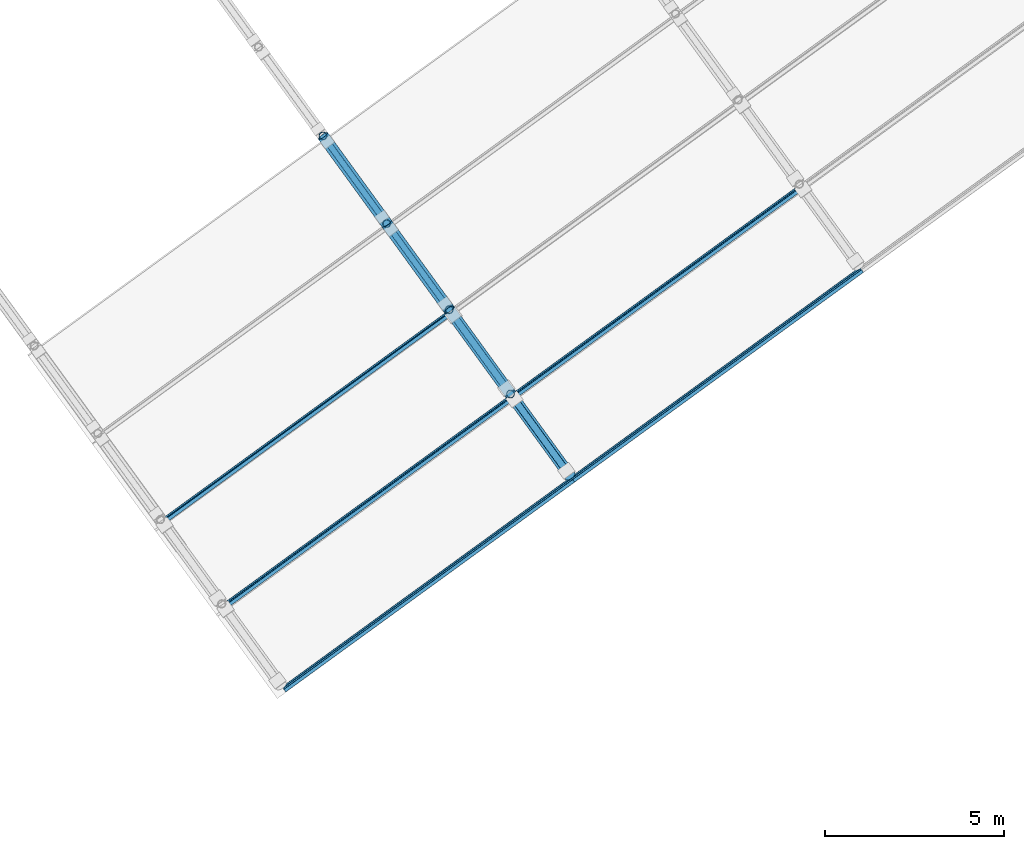
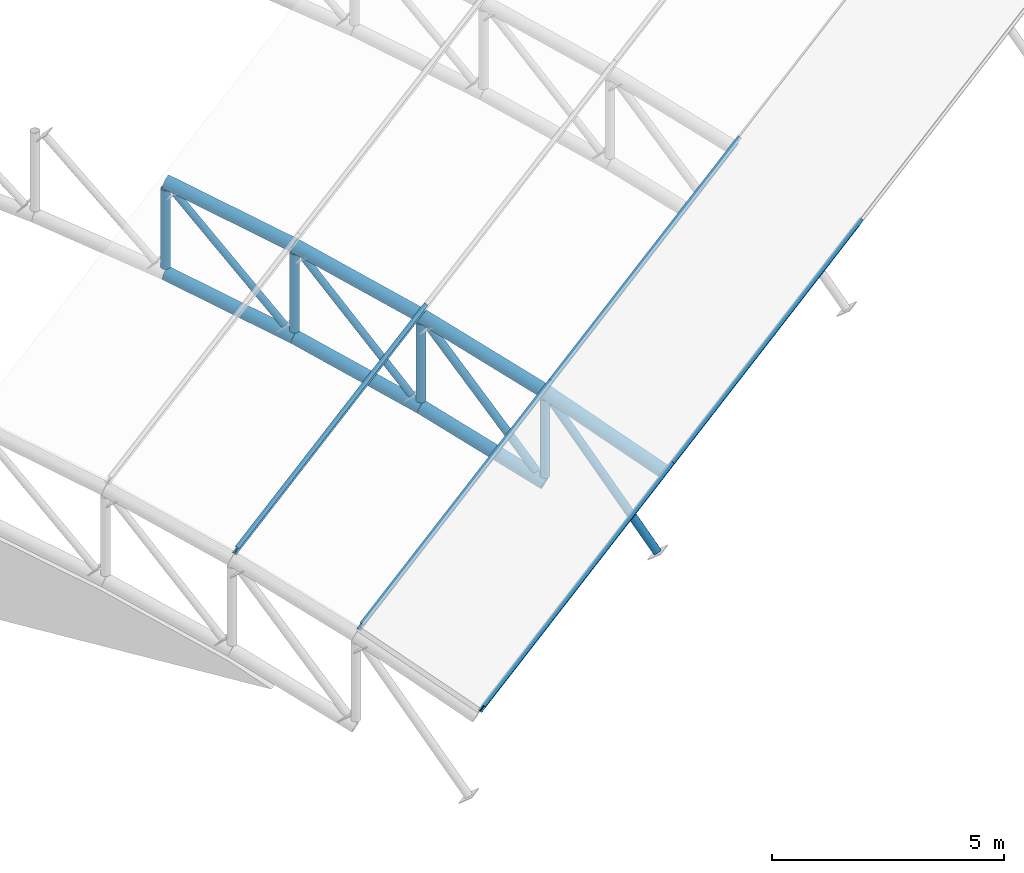
# One storey, part 17 of 69: 15 members, 5 beams.
"""IFC4 building model written with IfcOpenShell, lengths in metres."""

from ifc_helpers import new_model, si_unit, direction, frame, origin, origin_2d, place, context, subcontext, project, spatial, hollow_circle, i_section, extrude, material, material_profile, profile_set, type_object, element, save


model = new_model("IFC4")

# Units and contexts
model_context = context("Model", 3, precision=1e-05, world=origin(), true_north=direction((0.0, 1.0)))
body_context = subcontext(model_context, "Body", "Model", "MODEL_VIEW")
ifc_project = project(units=[si_unit("LENGTHUNIT", "METRE"), si_unit("AREAUNIT", "SQUARE_METRE"), si_unit("VOLUMEUNIT", "CUBIC_METRE"), si_unit("PLANEANGLEUNIT", "RADIAN"), si_unit("MASSUNIT", "GRAM", prefix="KILO")], contexts=[model_context])

# Site, building, storey
site_placement = place(None, origin())
site = spatial("IfcSite", under=ifc_project, at=site_placement, CompositionType="ELEMENT")
building_placement = place(site_placement, origin())
building = spatial("IfcBuilding", under=site, at=building_placement, Name="Okhra Congress Centre", CompositionType="ELEMENT")
storey_placement = place(building_placement, frame((0.0, 0.0, 16.800048828125)))
storey = spatial("IfcBuildingStorey", under=building, at=storey_placement, Name="L03", CompositionType="ELEMENT", Elevation=16.800048828125)

# Members
ifc_material_1 = material(Name="Steel S355J2H", Category="steel")
ifc_material_profile_1 = material_profile(ifc_material_1, hollow_circle(Radius=0.084228515625, WallThickness=0.00634765625, at=origin_2d()), Name="CHS 168.3x6.3")
ifc_profile_set_1 = profile_set([ifc_material_profile_1], Name="Steel S355J2H")
member_type_1 = type_object("IfcMemberType", Name="CHS 168.3x6.3", PredefinedType="BRACE", material=ifc_profile_set_1)
member_1_placement = place(storey_placement, frame((232.7578125, 169.065185546875, 0.876220703125), z_axis=(-0.388305830606, 0.534492302501, 0.750690722258), x_axis=(-0.809035390265, -0.587759931689, 0.0)))
element("IfcMember", 1, at=member_1_placement, inside=storey, type_object=member_type_1, Name="Truss 2 diagonal 4", PredefinedType="BRACE", context=body_context, shape_type="SweptSolid", body=[
    extrude(hollow_circle(Radius=0.084228515625, WallThickness=0.00634765625, at=origin_2d()), origin(), (0.0, 0.0, 1.0), 3.8427734375),
])
member_2_placement = place(storey_placement, frame((230.997314453125, 171.48828125, 1.861572265625), z_axis=(-0.40351165572, 0.555446411968, 0.727088458945), x_axis=(-0.809047320302, -0.587743509971, 0.0)))
element("IfcMember", 2, at=member_2_placement, inside=storey, type_object=member_type_1, Name="Truss 2 diagonal 5", PredefinedType="BRACE", context=body_context, shape_type="SweptSolid", body=[
    extrude(hollow_circle(Radius=0.084228515625, WallThickness=0.00634765625, at=origin_2d()), origin(), (0.0, 0.0, 1.0), 3.753662109375),
])
ifc_material_profile_2 = material_profile(ifc_material_1, hollow_circle(Radius=0.096923828125, WallThickness=0.010009765625, at=origin_2d()), Name="CHS 193.7x10")
ifc_profile_set_2 = profile_set([ifc_material_profile_2], Name="Steel S355J2H")
member_type_2 = type_object("IfcMemberType", Name="CHS 193.7x10", PredefinedType="BRACE", material=ifc_profile_set_2)
member_3_placement = place(storey_placement, frame((236.161865234375, 164.380126953125, -1.60595703125), z_axis=(-0.356796884209, 0.491009860406, 0.794735994153), x_axis=(-0.808972068944, -0.587847081874, 0.0)))
element("IfcMember", 3, at=member_3_placement, inside=storey, type_object=member_type_2, Name="Truss 2 diagonal 2", PredefinedType="BRACE", context=body_context, shape_type="SweptSolid", body=[
    extrude(hollow_circle(Radius=0.096923828125, WallThickness=0.010009765625, at=origin_2d()), origin(), (0.0, 0.0, 1.0), 4.052734375),
])
member_4_placement = place(storey_placement, frame((234.481201171875, 166.693115234375, -0.28076171875), z_axis=(-0.372698991022, 0.51302445178, 0.773240825336), x_axis=(-0.809043308787, -0.587749031907, 0.0)))
element("IfcMember", 4, at=member_4_placement, inside=storey, type_object=member_type_2, Name="Truss 2 diagonal 3", PredefinedType="BRACE", context=body_context, shape_type="SweptSolid", body=[
    extrude(hollow_circle(Radius=0.096923828125, WallThickness=0.010009765625, at=origin_2d()), origin(), (0.0, 0.0, 1.0), 3.95458984375),
])
ifc_material_profile_3 = material_profile(ifc_material_1, hollow_circle(Radius=0.109619140625, WallThickness=0.008056640625, at=origin_2d()), Name="CHS 219.1x8")
ifc_profile_set_3 = profile_set([ifc_material_profile_3], Name="Steel S355J2H")
member_type_3 = type_object("IfcMemberType", Name="CHS 219.1x8", PredefinedType="POST", material=ifc_profile_set_3)
member_5_placement = place(storey_placement, frame((234.602294921875, 166.526611328125, -0.353271484375), z_axis=(0.0, 0.0, 1.0), x_axis=(1.0, 0.0, 0.0)))
element("IfcMember", 5, at=member_5_placement, inside=storey, type_object=member_type_3, Name="Truss 2 post 2", PredefinedType="POST", context=body_context, shape_type="SweptSolid", body=[
    extrude(hollow_circle(Radius=0.109619140625, WallThickness=0.008056640625, at=origin_2d()), origin(), (0.0, 0.0, 1.0), 2.043212890625),
])
member_6_placement = place(storey_placement, frame((232.88623046875, 168.888427734375, 0.80224609375), z_axis=(0.0, 0.0, 1.0), x_axis=(1.0, 0.0, 0.0)))
element("IfcMember", 6, at=member_6_placement, inside=storey, type_object=member_type_3, Name="Truss 2 post 3", PredefinedType="POST", context=body_context, shape_type="SweptSolid", body=[
    extrude(hollow_circle(Radius=0.109619140625, WallThickness=0.008056640625, at=origin_2d()), origin(), (0.0, 0.0, 1.0), 2.05126953125),
])
member_7_placement = place(storey_placement, frame((231.1337890625, 171.300537109375, 1.787109375), z_axis=(0.0, 0.0, 1.0), x_axis=(1.0, 0.0, 0.0)))
element("IfcMember", 7, at=member_7_placement, inside=storey, type_object=member_type_3, Name="Truss 2 post 4", PredefinedType="POST", context=body_context, shape_type="SweptSolid", body=[
    extrude(hollow_circle(Radius=0.109619140625, WallThickness=0.008056640625, at=origin_2d()), origin(), (0.0, 0.0, 1.0), 2.057861328125),
])
member_8_placement = place(storey_placement, frame((229.350341796875, 173.75537109375, 2.597412109375), z_axis=(0.0, 0.0, 1.0), x_axis=(1.0, 0.0, 0.0)))
element("IfcMember", 8, at=member_8_placement, inside=storey, type_object=member_type_3, Name="Truss 2 post 5", PredefinedType="POST", context=body_context, shape_type="SweptSolid", body=[
    extrude(hollow_circle(Radius=0.109619140625, WallThickness=0.008056640625, at=origin_2d()), origin(), (0.0, 0.0, 1.0), 2.063232421875),
])
ifc_material_profile_4 = material_profile(ifc_material_1, hollow_circle(Radius=0.161865234375, WallThickness=0.012451171875, at=origin_2d()), Name="CHS 323.9x12.5")
ifc_profile_set_4 = profile_set([ifc_material_profile_4], Name="Steel S355J2H")
member_type_4 = type_object("IfcMemberType", Name="CHS 323.9x12.5", PredefinedType="CHORD", material=ifc_profile_set_4)
member_9_placement = place(storey_placement, frame((236.275634765625, 164.2236328125, 0.540771484375), z_axis=(-0.532744724434, 0.733204112283, 0.422604766085), x_axis=(-0.808995610274, -0.587814683856, 0.0)))
element("IfcMember", 9, at=member_9_placement, inside=storey, type_object=member_type_4, Name="Truss 2 top chord 2", PredefinedType="CHORD", context=body_context, shape_type="SweptSolid", body=[
    extrude(hollow_circle(Radius=0.161865234375, WallThickness=0.012451171875, at=origin_2d()), origin(), (0.0, 0.0, 1.0), 3.140869140625),
])
for number, where, z_axis, x_axis, name in (
    (10, (234.602294921875, 166.526611328125, -0.53173828125), (-0.54628790254, 0.751855053233, 0.369165960601), (-0.80899999046, -0.587808655462, 0.0), "Truss 2 bottom chord 3"),
    (11, (234.602294921875, 166.526611328125, 1.8681640625), (-0.546272227874, 0.751833480218, 0.369233085024), (-0.80899999046, -0.587808655462, 0.0), "Truss 2 top chord 3"),
):
    element("IfcMember", number, at=place(storey_placement, frame(where, z_axis=z_axis, x_axis=x_axis)), inside=storey, type_object=member_type_4, Name=name, PredefinedType="CHORD", context=body_context, shape_type="SweptSolid", body=[
        extrude(hollow_circle(Radius=0.161865234375, WallThickness=0.012451171875, at=origin_2d()), origin(), (0.0, 0.0, 1.0), 3.141357421875),
    ])
for number, where, z_axis, x_axis, name in (
    (12, (232.88623046875, 168.888427734375, 0.6279296875), (-0.557934322118, 0.767956408823, 0.314566759768), (-0.809026346454, -0.587772380045, 0.0), "Truss 2 bottom chord 4"),
    (13, (232.88623046875, 168.888427734375, 3.028076171875), (-0.557934322118, 0.767956408823, 0.314566759768), (-0.809026346454, -0.587772380045, 0.0), "Truss 2 top chord 4"),
):
    element("IfcMember", number, at=place(storey_placement, frame(where, z_axis=z_axis, x_axis=x_axis)), inside=storey, type_object=member_type_4, Name=name, PredefinedType="CHORD", context=body_context, shape_type="SweptSolid", body=[
        extrude(hollow_circle(Radius=0.161865234375, WallThickness=0.012451171875, at=origin_2d()), origin(), (0.0, 0.0, 1.0), 3.140869140625),
    ])
for number, where, z_axis, x_axis, name in (
    (14, (231.1337890625, 171.300537109375, 1.615966796875), (-0.567739531502, 0.781467623443, 0.258805289514), (-0.809031729281, -0.5877649709, 0.0), "Truss 2 bottom chord 5"),
    (15, (231.1337890625, 171.300537109375, 4.01611328125), (-0.567739531502, 0.781467623443, 0.258805289514), (-0.809031729281, -0.5877649709, 0.0), "Truss 2 top chord 5"),
):
    element("IfcMember", number, at=place(storey_placement, frame(where, z_axis=z_axis, x_axis=x_axis)), inside=storey, type_object=member_type_4, Name=name, PredefinedType="CHORD", context=body_context, shape_type="SweptSolid", body=[
        extrude(hollow_circle(Radius=0.161865234375, WallThickness=0.012451171875, at=origin_2d()), origin(), (0.0, 0.0, 1.0), 3.141357421875),
    ])

# Beams
ifc_material_2 = material(Name="Steel S355J2", Category="steel")
ifc_material_profile_5 = material_profile(ifc_material_2, i_section(OverallWidth=0.10009765625, OverallDepth=0.199951171875, WebThickness=0.005615234375, FlangeThickness=0.008544921875, FilletRadius=0.011962890625, at=origin_2d()), Name="IPE 200")
ifc_profile_set_5 = profile_set([ifc_material_profile_5], Name="Steel S355J2")
beam_type = type_object("IfcBeamType", Name="IPE 200", PredefinedType="BEAM", material=ifc_profile_set_5)
for number, where, z_axis, x_axis, name in (
    (16, (228.253662109375, 158.251708984375, 0.772216796875), (0.809010490052, 0.58779420462, 0.0), (-0.52527208704, 0.722958180273, 0.448799180206), "Purlin 2.7"),
    (17, (236.34375, 164.129638671875, 0.772216796875), (0.809030534284, 0.587766615755, 0.0), (-0.52524743273, 0.722976092452, 0.448799180206), "Purlin 2.8"),
    (18, (226.572265625, 160.56591796875, 2.10595703125), (0.809030534284, 0.587766615755, 0.0), (-0.539696773674, 0.742864867539, 0.396079766034), "Purlin 3.13"),
    (19, (234.66259765625, 166.443603515625, 2.10595703125), (0.809010490052, 0.58779420462, 0.0), (-0.539722106215, 0.742846462603, 0.396079766034), "Purlin 3.14"),
    (20, (224.84814453125, 162.93896484375, 3.271240234375), (0.809030534284, 0.587766615755, 0.0), (-0.552319951569, 0.760240023057, 0.342020143326), "Purlin 4.19"),
):
    element("IfcBeam", number, at=place(storey_placement, frame(where, z_axis=z_axis, x_axis=x_axis)), inside=storey, type_object=beam_type, Name=name, PredefinedType="BEAM", context=body_context, shape_type="SweptSolid", body=[
        extrude(i_section(OverallWidth=0.10009765625, OverallDepth=0.199951171875, WebThickness=0.005615234375, FlangeThickness=0.008544921875, FilletRadius=0.011962890625, at=origin_2d()), origin(), (0.0, 0.0, 1.0), 10.0),
    ])

save(model, "model.ifc")
